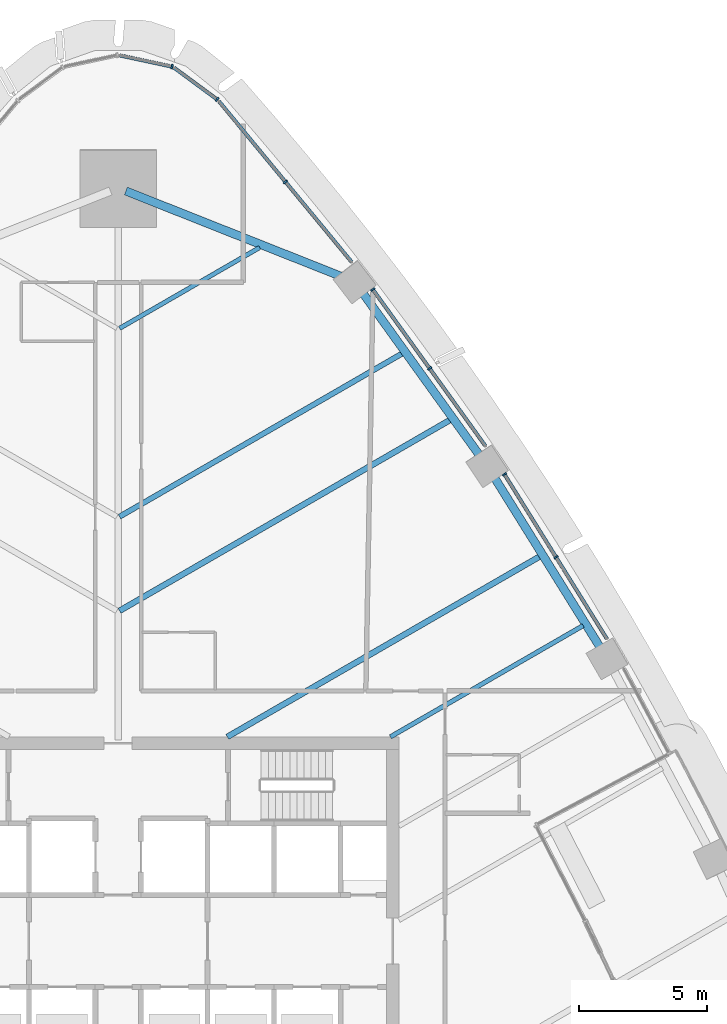
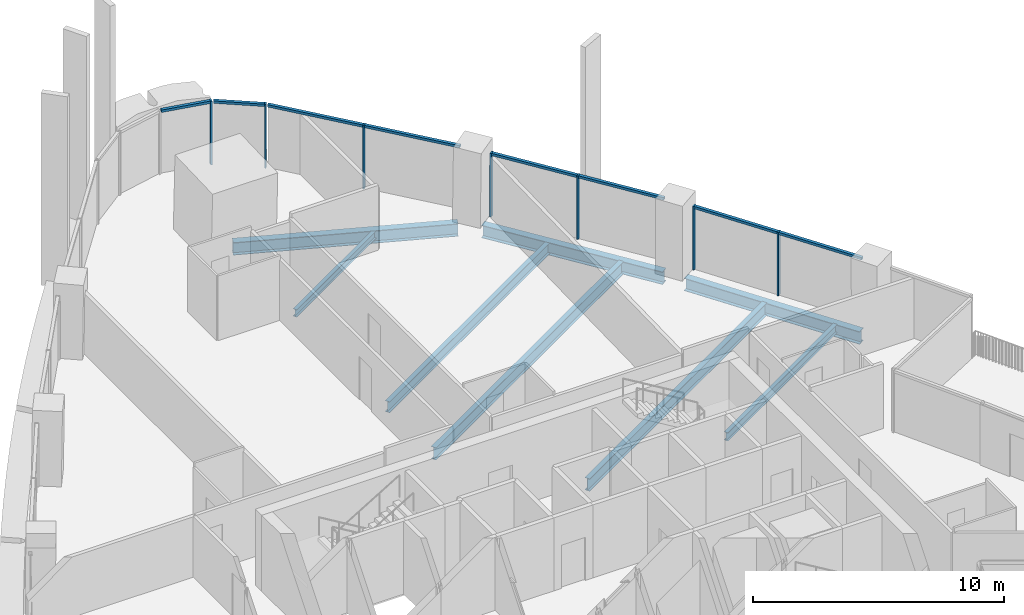
# One storey, part 7 of 22: 15 members, 8 beams, 5 elements without a shape of their own.
"""IFC4 building model written with IfcOpenShell, lengths in metres."""

from ifc_helpers import new_model, si_unit, direction, frame, origin, origin_2d, place, context, subcontext, project, spatial, rectangle, i_section, extrude, material, layer, layer_set, material_profile, profile_set, type_object, element, aggregate, save


model = new_model("IFC4")

# Units and contexts
model_context = context("Model", 3, precision=1e-05, world=origin(), true_north=direction((0.0, 1.0)))
body_context = subcontext(model_context, "Body", "Model", "MODEL_VIEW")
ifc_project = project(units=[si_unit("LENGTHUNIT", "METRE"), si_unit("AREAUNIT", "SQUARE_METRE"), si_unit("VOLUMEUNIT", "CUBIC_METRE"), si_unit("PLANEANGLEUNIT", "RADIAN"), si_unit("MASSUNIT", "GRAM", prefix="KILO")], contexts=[model_context])

# Site, building, storey
site_placement = place(None, origin())
site = spatial("IfcSite", under=ifc_project, at=site_placement, CompositionType="ELEMENT")
building_placement = place(site_placement, origin())
building = spatial("IfcBuilding", under=site, at=building_placement, Name="Sierra Prisma Convention Tower", CompositionType="ELEMENT")
storey_placement = place(building_placement, frame((0.0, 0.0, 103.5)))
storey = spatial("IfcBuildingStorey", under=building, at=storey_placement, Name="L22", CompositionType="ELEMENT", Elevation=103.5)

# Curtain wall, members
ifc_material_1 = material(Name="Aluminium and glass curtain wall", Category="aluminium")
ifc_layer = layer(ifc_material_1, 0.179931640625)
ifc_layer_set = layer_set([ifc_layer], Name="CW-1 Plain shaft curtain wall")
curtain_wall_type = type_object("IfcCurtainWallType", Name="CW-1 Plain shaft curtain wall", PredefinedType="NOTDEFINED", material=ifc_layer_set)
curtain_wall_1_placement = place(storey_placement, origin())
curtain_wall_1 = element("IfcCurtainWall", 1, at=curtain_wall_1_placement, inside=storey, type_object=curtain_wall_type, Name="CW-1 NE4 L22", PredefinedType="NOTDEFINED")
ifc_material_2 = material(Name="Aluminium 6063-T6 bronze anodised", Category="aluminium")
ifc_material_profile_1 = material_profile(ifc_material_2, rectangle(XDim=0.179931640625, YDim=0.070068359375, at=origin_2d()), Name="ALU MULLION 70x180")
ifc_profile_set_1 = profile_set([ifc_material_profile_1], Name="Aluminium 6063-T6 bronze anodised")
member_type_1 = type_object("IfcMemberType", Name="CW mullion bronze", PredefinedType="MULLION", material=ifc_profile_set_1)
member_1_placement = place(storey_placement, frame((17.148193359375, 15.0390625, 0.0), z_axis=(0.0, 0.0, 1.0), x_axis=(-0.848887960026, -0.528572824995, 0.0)))
member_1 = element("IfcMember", 2, at=member_1_placement, type_object=member_type_1, Name="CW-1 mullion NE4.2", PredefinedType="MULLION", context=body_context, shape_type="SweptSolid", body=[
    extrude(rectangle(XDim=0.179931640625, YDim=0.070068359375, at=origin_2d()), origin(), (0.0, 0.0, 1.0), 3.10009765625),
])
member_2_placement = place(storey_placement, frame((15.130126953125, 18.27978515625, 0.0), z_axis=(0.0, 0.0, 1.0), x_axis=(-0.848887960026, -0.528572824995, 0.0)))
member_2 = element("IfcMember", 3, at=member_2_placement, type_object=member_type_1, Name="CW-1 mullion NE4.3", PredefinedType="MULLION", context=body_context, shape_type="SweptSolid", body=[
    extrude(rectangle(XDim=0.179931640625, YDim=0.070068359375, at=origin_2d()), origin(), (0.0, 0.0, 1.0), 3.10009765625),
])

curtain_wall_2_placement = place(storey_placement, origin())
curtain_wall_2 = element("IfcCurtainWall", 4, at=curtain_wall_2_placement, inside=storey, type_object=curtain_wall_type, Name="CW-1 NE5 L22", PredefinedType="NOTDEFINED")
member_3_placement = place(storey_placement, frame((12.197021484375, 22.431640625, 0.0), z_axis=(0.0, 0.0, 1.0), x_axis=(-0.811806095606, -0.583927104301, 0.0)))
member_3 = element("IfcMember", 5, at=member_3_placement, type_object=member_type_1, Name="CW-1 mullion NE5.2", PredefinedType="MULLION", context=body_context, shape_type="SweptSolid", body=[
    extrude(rectangle(XDim=0.179931640625, YDim=0.070068359375, at=origin_2d()), origin(), (0.0, 0.0, 1.0), 3.10009765625),
])
member_4_placement = place(storey_placement, frame((9.9765625, 25.518310546875, 0.0), z_axis=(0.0, 0.0, 1.0), x_axis=(-0.811806095606, -0.583927104301, 0.0)))
member_4 = element("IfcMember", 6, at=member_4_placement, type_object=member_type_1, Name="CW-1 mullion NE5.3", PredefinedType="MULLION", context=body_context, shape_type="SweptSolid", body=[
    extrude(rectangle(XDim=0.179931640625, YDim=0.070068359375, at=origin_2d()), origin(), (0.0, 0.0, 1.0), 3.10009765625),
])

# Curtain wall, member
curtain_wall_3_placement = place(storey_placement, origin())
curtain_wall_3 = element("IfcCurtainWall", 7, at=curtain_wall_3_placement, inside=storey, type_object=curtain_wall_type, Name="CW-1 NE6 L22", PredefinedType="NOTDEFINED")
member_5_placement = place(storey_placement, frame((6.550537109375, 29.73876953125, 0.0), z_axis=(0.0, 0.0, 1.0), x_axis=(-0.771120493302, -0.636689237234, 0.0)))
member_5 = element("IfcMember", 8, at=member_5_placement, type_object=member_type_1, Name="CW-1 mullion NE6.2", PredefinedType="MULLION", context=body_context, shape_type="SweptSolid", body=[
    extrude(rectangle(XDim=0.179931640625, YDim=0.070068359375, at=origin_2d()), origin(), (0.0, 0.0, 1.0), 3.10009765625),
])

curtain_wall_4_placement = place(storey_placement, origin())
curtain_wall_4 = element("IfcCurtainWall", 9, at=curtain_wall_4_placement, inside=storey, type_object=curtain_wall_type, Name="CW-1 N1 L22", PredefinedType="NOTDEFINED")
member_6_placement = place(storey_placement, frame((3.87451171875, 32.966552734375, 0.0), z_axis=(0.0, 0.0, 1.0), x_axis=(-0.593547468684, -0.804798982615, 0.0)))
member_6 = element("IfcMember", 10, at=member_6_placement, type_object=member_type_1, Name="CW-1 mullion N1.1", PredefinedType="MULLION", context=body_context, shape_type="SweptSolid", body=[
    extrude(rectangle(XDim=0.179931640625, YDim=0.070068359375, at=origin_2d()), origin(), (0.0, 0.0, 1.0), 3.10009765625),
])

curtain_wall_5_placement = place(storey_placement, origin())
curtain_wall_5 = element("IfcCurtainWall", 11, at=curtain_wall_5_placement, inside=storey, type_object=curtain_wall_type, Name="CW-1 N2 L22", PredefinedType="NOTDEFINED")
member_7_placement = place(storey_placement, frame((2.1064453125, 34.252685546875, 0.0), z_axis=(0.0, 0.0, 1.0), x_axis=(-0.210239441963, -0.977649925609, 0.0)))
member_7 = element("IfcMember", 12, at=member_7_placement, type_object=member_type_1, Name="CW-1 mullion N2.1", PredefinedType="MULLION", context=body_context, shape_type="SweptSolid", body=[
    extrude(rectangle(XDim=0.179931640625, YDim=0.070068359375, at=origin_2d()), origin(), (0.0, 0.0, 1.0), 3.10009765625),
])

# Member
ifc_material_3 = material(Name="Aluminium 6063-T6 bronze anodised", Category="aluminium")
ifc_material_profile_2 = material_profile(ifc_material_3, rectangle(XDim=0.139892578125, YDim=0.1201171875, at=origin_2d()), Name="ALU TRANSOM 120x140")
ifc_profile_set_2 = profile_set([ifc_material_profile_2], Name="Aluminium 6063-T6 bronze anodised")
member_type_2 = type_object("IfcMemberType", Name="CW transom bronze", PredefinedType="USERDEFINED", material=ifc_profile_set_2)
member_8_placement = place(storey_placement, frame((19.1474609375, 11.828125, 3.0400390625), z_axis=(-0.528604512954, 0.848868228222, 0.0), x_axis=(-0.848868228222, -0.528604512954, 0.0)))
member_8 = element("IfcMember", 13, at=member_8_placement, type_object=member_type_2, Name="CW-1 transom NE4.1", ObjectType="TRANSOM", PredefinedType="USERDEFINED", context=body_context, shape_type="SweptSolid", body=[
    extrude(rectangle(XDim=0.139892578125, YDim=0.1201171875, at=origin_2d()), origin(), (0.0, 0.0, 1.0), 3.74755859375),
])

member_9_placement = place(storey_placement, frame((17.129638671875, 15.06884765625, 3.0400390625), z_axis=(-0.528604512954, 0.848868228222, 0.0), x_axis=(-0.848868228222, -0.528604512954, 0.0)))
member_9 = element("IfcMember", 14, at=member_9_placement, type_object=member_type_2, Name="CW-1 transom NE4.2", ObjectType="TRANSOM", PredefinedType="USERDEFINED", context=body_context, shape_type="SweptSolid", body=[
    extrude(rectangle(XDim=0.139892578125, YDim=0.1201171875, at=origin_2d()), origin(), (0.0, 0.0, 1.0), 3.74755859375),
])

aggregate(curtain_wall_1, [member_1, member_2, member_8, member_9])

member_10_placement = place(storey_placement, frame((14.396728515625, 19.37353515625, 3.0400390625), z_axis=(-0.583951406933, 0.811788614321, 0.0), x_axis=(-0.811788614321, -0.583951406933, 0.0)))
member_10 = element("IfcMember", 15, at=member_10_placement, type_object=member_type_2, Name="CW-1 transom NE5.1", ObjectType="TRANSOM", PredefinedType="USERDEFINED", context=body_context, shape_type="SweptSolid", body=[
    extrude(rectangle(XDim=0.139892578125, YDim=0.1201171875, at=origin_2d()), origin(), (0.0, 0.0, 1.0), 3.732177734375),
])

member_11_placement = place(storey_placement, frame((12.176513671875, 22.460205078125, 3.0400390625), z_axis=(-0.583951406933, 0.811788614321, 0.0), x_axis=(-0.811788614321, -0.583951406933, 0.0)))
member_11 = element("IfcMember", 16, at=member_11_placement, type_object=member_type_2, Name="CW-1 transom NE5.2", ObjectType="TRANSOM", PredefinedType="USERDEFINED", context=body_context, shape_type="SweptSolid", body=[
    extrude(rectangle(XDim=0.139892578125, YDim=0.1201171875, at=origin_2d()), origin(), (0.0, 0.0, 1.0), 3.732177734375),
])

aggregate(curtain_wall_2, [member_3, member_4, member_10, member_11])

member_12_placement = place(storey_placement, frame((9.154052734375, 26.585693359375, 3.0400390625), z_axis=(-0.636665097022, 0.771140424458, 0.0), x_axis=(-0.771140424458, -0.636665097022, 0.0)))
member_12 = element("IfcMember", 17, at=member_12_placement, type_object=member_type_2, Name="CW-1 transom NE6.1", ObjectType="TRANSOM", PredefinedType="USERDEFINED", context=body_context, shape_type="SweptSolid", body=[
    extrude(rectangle(XDim=0.139892578125, YDim=0.1201171875, at=origin_2d()), origin(), (0.0, 0.0, 1.0), 4.053955078125),
])

member_13_placement = place(storey_placement, frame((6.5283203125, 29.765869140625, 3.0400390625), z_axis=(-0.636694664324, 0.771116012297, 0.0), x_axis=(-0.771116012297, -0.636694664324, 0.0)))
member_13 = element("IfcMember", 18, at=member_13_placement, type_object=member_type_2, Name="CW-1 transom NE6.2", ObjectType="TRANSOM", PredefinedType="USERDEFINED", context=body_context, shape_type="SweptSolid", body=[
    extrude(rectangle(XDim=0.139892578125, YDim=0.1201171875, at=origin_2d()), origin(), (0.0, 0.0, 1.0), 4.053955078125),
])

aggregate(curtain_wall_3, [member_5, member_12, member_13])

member_14_placement = place(storey_placement, frame((3.846435546875, 32.9873046875, 3.0400390625), z_axis=(-0.804819266162, 0.593519964967, 0.0), x_axis=(-0.593519964967, -0.804819266162, 0.0)))
member_14 = element("IfcMember", 19, at=member_14_placement, type_object=member_type_2, Name="CW-1 transom N1.1", ObjectType="TRANSOM", PredefinedType="USERDEFINED", context=body_context, shape_type="SweptSolid", body=[
    extrude(rectangle(XDim=0.139892578125, YDim=0.1201171875, at=origin_2d()), origin(), (0.0, 0.0, 1.0), 2.0498046875),
])

aggregate(curtain_wall_4, [member_6, member_14])

member_15_placement = place(storey_placement, frame((2.072021484375, 34.260009765625, 3.0400390625), z_axis=(-0.977646994847, 0.210253070051, 0.0), x_axis=(-0.210253070051, -0.977646994847, 0.0)))
member_15 = element("IfcMember", 20, at=member_15_placement, type_object=member_type_2, Name="CW-1 transom N2.1", ObjectType="TRANSOM", PredefinedType="USERDEFINED", context=body_context, shape_type="SweptSolid", body=[
    extrude(rectangle(XDim=0.139892578125, YDim=0.1201171875, at=origin_2d()), origin(), (0.0, 0.0, 1.0), 2.049560546875),
])

aggregate(curtain_wall_5, [member_7, member_15])

# Beams
ifc_material_4 = material(Name="Steel ASTM A992 Gr 50", Category="steel")
ifc_material_profile_3 = material_profile(ifc_material_4, i_section(OverallWidth=0.172119140625, OverallDepth=0.35791015625, WebThickness=0.0078125, FlangeThickness=0.01318359375, at=origin_2d()), Name="W360x57")
ifc_profile_set_3 = profile_set([ifc_material_profile_3], Name="Steel ASTM A992 Gr 50")
beam_type_1 = type_object("IfcBeamType", Name="Floor joist W360x57", PredefinedType="JOIST", material=ifc_profile_set_3)
beam_1_placement = place(storey_placement, frame((5.54296875, 27.167724609375, -0.3291015625), z_axis=(-0.866040003818, -0.499974711147, 0.0), x_axis=(0.499974711147, -0.866040003818, 0.0)))
element("IfcBeam", 21, at=beam_1_placement, inside=storey, type_object=beam_type_1, Name="Floor joist L22 NE15", PredefinedType="JOIST", context=body_context, shape_type="SweptSolid", body=[
    extrude(i_section(OverallWidth=0.172119140625, OverallDepth=0.35791015625, WebThickness=0.0078125, FlangeThickness=0.01318359375, at=origin_2d()), origin(), (0.0, 0.0, 1.0), 6.339111328125),
])
ifc_material_5 = material(Name="Steel ASTM A992 Gr 50", Category="steel")
ifc_material_profile_4 = material_profile(ifc_material_5, i_section(OverallWidth=0.177978515625, OverallDepth=0.406982421875, WebThickness=0.0078125, FlangeThickness=0.0126953125, at=origin_2d()), Name="W410x60")
ifc_profile_set_4 = profile_set([ifc_material_profile_4], Name="Steel ASTM A992 Gr 50")
beam_type_2 = type_object("IfcBeamType", Name="Floor joist W410x60", PredefinedType="JOIST", material=ifc_profile_set_4)
beam_2_placement = place(storey_placement, frame((18.21337890625, 12.359130859375, -0.353515625), z_axis=(-0.866027033782, -0.49999717675, 0.0), x_axis=(0.49999717675, -0.866027033782, 0.0)))
element("IfcBeam", 22, at=beam_2_placement, inside=storey, type_object=beam_type_2, Name="Floor joist L22 NE09", PredefinedType="JOIST", context=body_context, shape_type="SweptSolid", body=[
    extrude(i_section(OverallWidth=0.177978515625, OverallDepth=0.406982421875, WebThickness=0.0078125, FlangeThickness=0.0126953125, at=origin_2d()), origin(), (0.0, 0.0, 1.0), 8.71826171875),
])
ifc_material_6 = material(Name="Steel ASTM A992 Gr 50", Category="steel")
ifc_material_profile_5 = material_profile(ifc_material_6, i_section(OverallWidth=0.208984375, OverallDepth=0.532958984375, WebThickness=0.01025390625, FlangeThickness=0.015625, at=origin_2d()), Name="W530x92")
ifc_profile_set_5 = profile_set([ifc_material_profile_5], Name="Steel ASTM A992 Gr 50")
beam_type_3 = type_object("IfcBeamType", Name="Floor joist W530x92", PredefinedType="JOIST", material=ifc_profile_set_5)
beam_3_placement = place(storey_placement, frame((11.139404296875, 23.024169921875, -0.41650390625), z_axis=(-0.866029332348, -0.499993195467, 0.0), x_axis=(0.499993195467, -0.866029332348, 0.0)))
element("IfcBeam", 23, at=beam_3_placement, inside=storey, type_object=beam_type_3, Name="Floor joist L22 NE13", PredefinedType="JOIST", context=body_context, shape_type="SweptSolid", body=[
    extrude(i_section(OverallWidth=0.208984375, OverallDepth=0.532958984375, WebThickness=0.01025390625, FlangeThickness=0.015625, at=origin_2d()), origin(), (0.0, 0.0, 1.0), 12.801513671875),
])
ifc_material_7 = material(Name="Steel ASTM A992 Gr 50", Category="steel")
ifc_material_profile_6 = material_profile(ifc_material_7, i_section(OverallWidth=0.22802734375, OverallDepth=0.60302734375, WebThickness=0.010498046875, FlangeThickness=0.014892578125, at=origin_2d()), Name="W610x101")
ifc_profile_set_6 = profile_set([ifc_material_profile_6], Name="Steel ASTM A992 Gr 50")
beam_type_4 = type_object("IfcBeamType", Name="Floor joist W610x101", PredefinedType="JOIST", material=ifc_profile_set_6)
beam_4_placement = place(storey_placement, frame((16.5244140625, 15.0712890625, -0.451416015625), z_axis=(-0.866029203295, -0.499993418997, 0.0), x_axis=(0.499993418997, -0.866029203295, 0.0)))
element("IfcBeam", 24, at=beam_4_placement, inside=storey, type_object=beam_type_4, Name="Floor joist L22 NE10", PredefinedType="JOIST", context=body_context, shape_type="SweptSolid", body=[
    extrude(i_section(OverallWidth=0.22802734375, OverallDepth=0.60302734375, WebThickness=0.010498046875, FlangeThickness=0.014892578125, at=origin_2d()), origin(), (0.0, 0.0, 1.0), 14.142822265625),
])
beam_5_placement = place(storey_placement, frame((13.013427734375, 20.4189453125, -0.451416015625), z_axis=(-0.866026932365, -0.499997352411, 0.0), x_axis=(0.499997352411, -0.866026932365, 0.0)))
element("IfcBeam", 25, at=beam_5_placement, inside=storey, type_object=beam_type_4, Name="Floor joist L22 NE12", PredefinedType="JOIST", context=body_context, shape_type="SweptSolid", body=[
    extrude(i_section(OverallWidth=0.22802734375, OverallDepth=0.60302734375, WebThickness=0.010498046875, FlangeThickness=0.014892578125, at=origin_2d()), origin(), (0.0, 0.0, 1.0), 14.96533203125),
])
ifc_material_8 = material(Name="Steel ASTM A992 Gr 50", Category="steel")
ifc_material_profile_7 = material_profile(ifc_material_8, i_section(OverallWidth=0.324951171875, OverallDepth=0.615966796875, WebThickness=0.013916015625, FlangeThickness=0.021484375, at=origin_2d()), Name="W610x174")
ifc_profile_set_7 = profile_set([ifc_material_profile_7], Name="Steel ASTM A992 Gr 50")
beam_type_5 = type_object("IfcBeamType", Name="Spandrel beam W610x174", PredefinedType="BEAM", material=ifc_profile_set_7)
beam_6_placement = place(storey_placement, frame((18.9013671875, 11.467041015625, -0.4580078125), z_axis=(-0.52857310264, 0.848887787146, 0.0), x_axis=(-0.848887787146, -0.52857310264, 0.0)))
element("IfcBeam", 26, at=beam_6_placement, inside=storey, type_object=beam_type_5, Name="Spandrel L22-10", PredefinedType="BEAM", context=body_context, shape_type="SweptSolid", body=[
    extrude(i_section(OverallWidth=0.324951171875, OverallDepth=0.615966796875, WebThickness=0.013916015625, FlangeThickness=0.021484375, at=origin_2d()), origin(), (0.0, 0.0, 1.0), 7.9306640625),
])
beam_7_placement = place(storey_placement, frame((14.175048828125, 18.996826171875, -0.4580078125), z_axis=(-0.58393160979, 0.811802854816, 0.0), x_axis=(-0.811802854816, -0.58393160979, 0.0)))
element("IfcBeam", 27, at=beam_7_placement, inside=storey, type_object=beam_type_5, Name="Spandrel L22-11", PredefinedType="BEAM", context=body_context, shape_type="SweptSolid", body=[
    extrude(i_section(OverallWidth=0.324951171875, OverallDepth=0.615966796875, WebThickness=0.013916015625, FlangeThickness=0.021484375, at=origin_2d()), origin(), (0.0, 0.0, 1.0), 7.930419921875),
])
beam_8_placement = place(storey_placement, frame((8.7265625, 26.037841796875, -0.4580078125), z_axis=(-0.92956851511, 0.368649394027, 0.0), x_axis=(-0.368649394027, -0.92956851511, 0.0)))
element("IfcBeam", 28, at=beam_8_placement, inside=storey, type_object=beam_type_5, Name="Spandrel L22-12", PredefinedType="BEAM", context=body_context, shape_type="SweptSolid", body=[
    extrude(i_section(OverallWidth=0.324951171875, OverallDepth=0.615966796875, WebThickness=0.013916015625, FlangeThickness=0.021484375, at=origin_2d()), origin(), (0.0, 0.0, 1.0), 9.06494140625),
])

save(model, "model.ifc")
